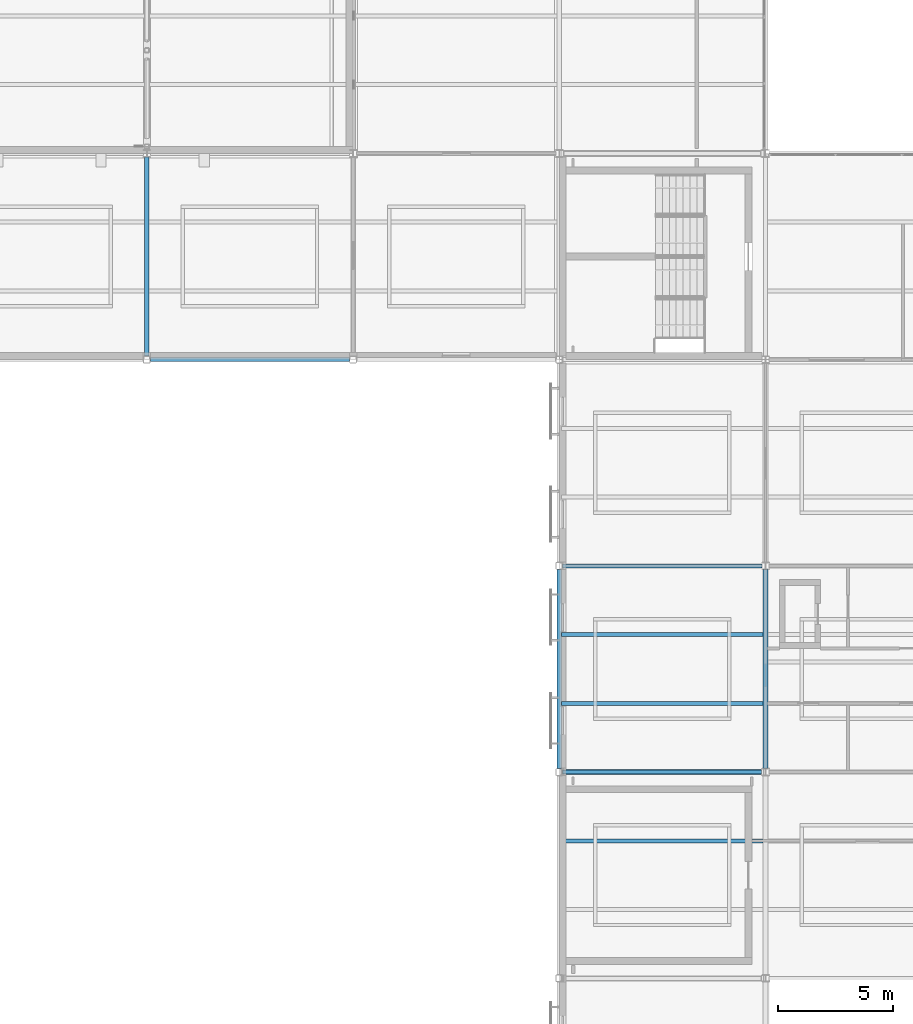
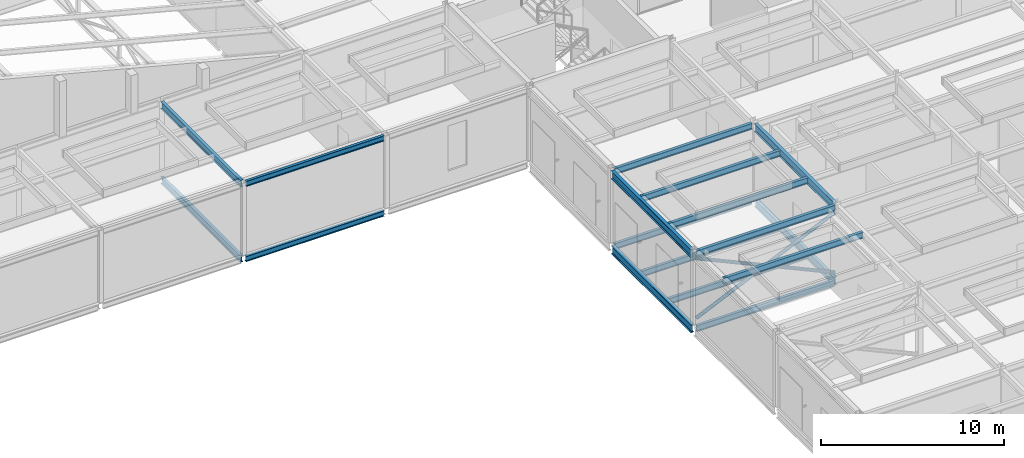
# One storey, part 19 of 115: 17 beams, 2 members.
"""IFC4 building model written with IfcOpenShell, lengths in metres."""

import ifcopenshell
import ifcopenshell.guid

model = None  # the IFC model being written
_history = None  # IfcOwnerHistory: only IFC2X3 demands one
_inside = {}  # id of a spatial element -> (the spatial element, [elements in it])
_under = {}  # id of a project, library or spatial element -> (it, [spatial elements below it])
_declared = {}  # id of a project -> (the project, [libraries it declares])
_typed = {}  # id of a type object -> (the type object, [elements of that type])
_made_of = {}  # id of a material, layer set ... -> (it, [elements and type objects made of it])


def new_model(schema):
    """Start an empty IFC model of exactly this schema.

    Asked for "IFC4X3", IfcOpenShell would pick the latest addendum, in which some entities
    have other attributes; the version numbers below select the first issue.
    IFC2X3 requires an IfcOwnerHistory on every rooted entity: one is made here for all.
    """
    global model, _history
    if schema == "IFC4X3":
        model = ifcopenshell.file(schema_version=(4, 3, 0, 0))
    else:
        model = ifcopenshell.file(schema=schema)
    _inside.clear()
    _under.clear()
    _declared.clear()
    _typed.clear()
    _made_of.clear()
    _history = None
    if model.schema == "IFC2X3":
        org = make("IfcOrganization", Name="unknown")
        user = make(
            "IfcPersonAndOrganization",
            ThePerson=make("IfcPerson", FamilyName="unknown"),
            TheOrganization=org,
        )
        app = make(
            "IfcApplication",
            ApplicationDeveloper=org,
            Version="unknown",
            ApplicationFullName="unknown",
            ApplicationIdentifier="unknown",
        )
        _history = make(
            "IfcOwnerHistory",
            OwningUser=user,
            OwningApplication=app,
            ChangeAction="ADDED",
            CreationDate=0,
        )
    return model


def make(cls, **values):
    """One entity of the class cls with the attributes given. An attribute that is None is left unset."""
    return model.create_entity(
        cls, **{name: value for name, value in values.items() if value is not None}
    )


def rooted(cls, **values):
    """An entity with a GlobalId (a new one), such as an element, a storey or a relation."""
    return make(cls, GlobalId=ifcopenshell.guid.new(), OwnerHistory=_history, **values)


def si_unit(unit_type, name, prefix=None):
    """IfcSIUnit, for example si_unit("LENGTHUNIT", "METRE", prefix="MILLI")."""
    return make("IfcSIUnit", UnitType=unit_type, Prefix=prefix, Name=name)


def assignment(units):
    """IfcUnitAssignment: the units of a project."""
    return None if units is None else make("IfcUnitAssignment", Units=units)


def point(xyz):
    """IfcCartesianPoint."""
    return None if xyz is None else make("IfcCartesianPoint", Coordinates=xyz)


def direction(xyz):
    """IfcDirection."""
    return None if xyz is None else make("IfcDirection", DirectionRatios=xyz)


def frame(location, z_axis=None, x_axis=None):
    """IfcAxis2Placement3D, a coordinate frame: its origin and axes. An axis left out is left unset."""
    return make(
        "IfcAxis2Placement3D",
        Location=point(location),
        Axis=direction(z_axis),
        RefDirection=direction(x_axis),
    )


def frame_2d(location, x_axis=None):
    """IfcAxis2Placement2D, a coordinate frame in the plane: its origin and x axis."""
    return make(
        "IfcAxis2Placement2D", Location=point(location), RefDirection=direction(x_axis)
    )


def origin():
    """The frame at (0, 0, 0) with its axes left unset."""
    return frame((0.0, 0.0, 0.0))


def origin_2d():
    """The frame at (0, 0) in the plane with its x axis left unset."""
    return frame_2d((0.0, 0.0))


def place(relative_to, where):
    """IfcLocalPlacement: puts the frame where relative to a parent placement (None: the world)."""
    return make(
        "IfcLocalPlacement", PlacementRelTo=relative_to, RelativePlacement=where
    )


def context(
    kind, dimensions, precision=None, world=None, true_north=None, identifier=None
):
    """IfcGeometricRepresentationContext, for example the 3D "Model" context."""
    return make(
        "IfcGeometricRepresentationContext",
        ContextIdentifier=identifier,
        ContextType=kind,
        CoordinateSpaceDimension=dimensions,
        Precision=precision,
        WorldCoordinateSystem=world,
        TrueNorth=true_north,
    )


def subcontext(parent, identifier, kind, view, scale=None):
    """IfcGeometricRepresentationSubContext, for example "Body" below "Model"."""
    return make(
        "IfcGeometricRepresentationSubContext",
        ContextIdentifier=identifier,
        ContextType=kind,
        ParentContext=parent,
        TargetScale=scale,
        TargetView=view,
    )


def project(units=None, contexts=None):
    """IfcProject with its units and contexts."""
    return rooted(
        "IfcProject",
        Name="project",
        RepresentationContexts=contexts,
        UnitsInContext=assignment(units),
    )


def spatial(cls, under=None, at=None, **own):
    """A site, building, storey or space (cls), placed at a placement, below another one or the project."""
    s = rooted(cls, ObjectPlacement=at, **own)
    if under is not None:
        _under.setdefault(under.id(), (under, []))[1].append(s)
    return s


def profile(cls, at=None, kind="AREA", **sizes):
    """A parametric profile (cls). Its sizes go by their IFC names, for example OverallWidth=200.0."""
    return make(cls, ProfileType=kind, Position=at, **sizes)


def hollow_circle(**sizes):
    """IfcCircleHollowProfileDef."""
    return profile("IfcCircleHollowProfileDef", **sizes)


def i_section(**sizes):
    """IfcIShapeProfileDef."""
    return profile("IfcIShapeProfileDef", **sizes)


def extrude(swept, where, along, depth):
    """IfcExtrudedAreaSolid: the profile swept, set in the frame where, extruded along a direction by depth."""
    return make(
        "IfcExtrudedAreaSolid",
        SweptArea=swept,
        Position=where,
        ExtrudedDirection=direction(along),
        Depth=depth,
    )


def shape(context_of_items, identifier, shape_type, items):
    """IfcShapeRepresentation: the items that make up one representation, for example the "Body"."""
    return make(
        "IfcShapeRepresentation",
        ContextOfItems=context_of_items,
        RepresentationIdentifier=identifier,
        RepresentationType=shape_type,
        Items=items,
    )


def material(Name=None, Category=None):
    """IfcMaterial."""
    return make("IfcMaterial", Name=Name, Category=Category)


def material_profile(
    of_material, cross_section, Name=None, Category=None, Priority=None
):
    """IfcMaterialProfile: a cross section and its material."""
    return make(
        "IfcMaterialProfile",
        Name=Name,
        Material=of_material,
        Profile=cross_section,
        Priority=Priority,
        Category=Category,
    )


def profile_set(profiles, Name=None, composite=None):
    """IfcMaterialProfileSet."""
    return make(
        "IfcMaterialProfileSet",
        Name=Name,
        MaterialProfiles=profiles,
        CompositeProfile=composite,
    )


def made_of(thing, what):
    """Note that an element or type object is made of a material, layer set ...; save() writes the relation."""
    if what is not None:
        _made_of.setdefault(what.id(), (what, []))[1].append(thing)
    return thing


def type_object(cls, material=None, **own):
    """A type object (cls), such as IfcWallType, which elements share."""
    return made_of(rooted(cls, **own), material)


def element(
    cls,
    number,
    at=None,
    inside=None,
    cuts=None,
    type_object=None,
    material=None,
    context=None,
    identifier="Body",
    shape_type=None,
    held_by="IfcProductDefinitionShape",
    body=None,
    shapes=None,
    **own,
):
    """One element of the class cls, such as IfcWall. Its Tag is "e" and its number.

    at: its placement. inside: the storey or other place that contains it. cuts: it is an
    opening in that element (IfcRelVoidsElement). A single representation is given by context,
    identifier, shape_type and body (its items); several are given by shapes. held_by: the class
    of the entity that holds the representations. save() writes the other relations.
    """
    e = rooted(cls, Tag="e%d" % number, ObjectPlacement=at, **own)
    if body is not None:
        shapes = [shape(context, identifier, shape_type, body)]
    if shapes is not None:
        e.Representation = make(held_by, Representations=shapes)
    if inside is not None:
        _inside.setdefault(inside.id(), (inside, []))[1].append(e)
    if cuts is not None:
        rooted(
            "IfcRelVoidsElement", RelatingBuildingElement=cuts, RelatedOpeningElement=e
        )
    if type_object is not None:
        _typed.setdefault(type_object.id(), (type_object, []))[1].append(e)
    return made_of(e, material)


def aggregate(whole, parts):
    """IfcRelAggregates: a whole, such as a stair, and the parts it consists of."""
    return rooted("IfcRelAggregates", RelatingObject=whole, RelatedObjects=parts)


def save(model, path):
    """Write the relations noted so far, then the file.

    IfcRelAggregates (storeys below a building ...), IfcRelContainedInSpatialStructure (elements
    in a storey), IfcRelDefinesByType, IfcRelAssociatesMaterial and IfcRelDeclares: one each for
    every whole, place, type object, material and project.
    """
    for whole, parts in _under.values():
        aggregate(whole, parts)
    for where, things in _inside.values():
        rooted(
            "IfcRelContainedInSpatialStructure",
            RelatedElements=things,
            RelatingStructure=where,
        )
    for kind, things in _typed.values():
        rooted("IfcRelDefinesByType", RelatedObjects=things, RelatingType=kind)
    for what, things in _made_of.values():
        rooted("IfcRelAssociatesMaterial", RelatedObjects=things, RelatingMaterial=what)
    for by, libraries in _declared.values():
        rooted("IfcRelDeclares", RelatingContext=by, RelatedDefinitions=libraries)
    model.write(path)


model = new_model("IFC4")

# Units and contexts
model_context = context("Model", 3, precision=1e-05, world=origin(), true_north=direction((0.0, 1.0)))
body_context = subcontext(model_context, "Body", "Model", "MODEL_VIEW")
ifc_project = project(units=[si_unit("LENGTHUNIT", "METRE"), si_unit("AREAUNIT", "SQUARE_METRE"), si_unit("VOLUMEUNIT", "CUBIC_METRE"), si_unit("PLANEANGLEUNIT", "RADIAN"), si_unit("MASSUNIT", "GRAM", prefix="KILO")], contexts=[model_context])

# Site, building, storey
site_placement = place(None, origin())
site = spatial("IfcSite", under=ifc_project, at=site_placement, CompositionType="ELEMENT")
building_placement = place(site_placement, origin())
building = spatial("IfcBuilding", under=site, at=building_placement, Name="Shorebreak Coast Museum", CompositionType="ELEMENT")
storey_placement = place(building_placement, frame((0.0, 0.0, 11.0)))
storey = spatial("IfcBuildingStorey", under=building, at=storey_placement, Name="L02", CompositionType="ELEMENT", Elevation=11.0)

# Beams
ifc_material_1 = material(Name="Steel Grade 300", Category="steel")
ifc_material_profile_1 = material_profile(ifc_material_1, i_section(OverallWidth=0.1708984375, OverallDepth=0.355712890625, WebThickness=0.00732421875, FlangeThickness=0.011474609375, FilletRadius=0.011474609375, at=origin_2d()), Name="360UB50.7")
ifc_profile_set_1 = profile_set([ifc_material_profile_1], Name="Steel Grade 300")
beam_type_1 = type_object("IfcBeamType", Name="Floor girder east-west 360UB50.7", PredefinedType="BEAM", material=ifc_profile_set_1)
beam_1_placement = place(storey_placement, frame((36.14990234375, 54.0, -0.352783203125), z_axis=(1.0, 0.0, 0.0), x_axis=(0.0, 1.0, 0.0)))
element("IfcBeam", 1, at=beam_1_placement, inside=storey, type_object=beam_type_1, Name="Floor girder east-west L02 5G", PredefinedType="BEAM", context=body_context, shape_type="SweptSolid", body=[
    extrude(i_section(OverallWidth=0.1708984375, OverallDepth=0.355712890625, WebThickness=0.00732421875, FlangeThickness=0.011474609375, FilletRadius=0.011474609375, at=origin_2d()), origin(), (0.0, 0.0, 1.0), 8.7001953125),
])
ifc_material_2 = material(Name="Steel Grade 300", Category="steel")
ifc_material_profile_2 = material_profile(ifc_material_2, i_section(OverallWidth=0.177978515625, OverallDepth=0.406494140625, WebThickness=0.0078125, FlangeThickness=0.0126953125, FilletRadius=0.011474609375, at=origin_2d()), Name="410UB59.7")
ifc_profile_set_2 = profile_set([ifc_material_profile_2], Name="Steel Grade 300")
beam_type_2 = type_object("IfcBeamType", Name="Floor girder east-west 410UB59.7", PredefinedType="BEAM", material=ifc_profile_set_2)
for number, where, z_axis, x_axis, name in (
    (2, (54.14990234375, 36.0, -0.378173828125), (1.0, 0.0, 0.0), (0.0, 1.0, 0.0), "Floor girder east-west L02 7E"),
    (3, (54.14990234375, 45.0, -0.378173828125), (1.0, 0.0, 0.0), (0.0, 1.0, 0.0), "Floor girder east-west L02 7F"),
):
    element("IfcBeam", number, at=place(storey_placement, frame(where, z_axis=z_axis, x_axis=x_axis)), inside=storey, type_object=beam_type_2, Name=name, PredefinedType="BEAM", context=body_context, shape_type="SweptSolid", body=[
        extrude(i_section(OverallWidth=0.177978515625, OverallDepth=0.406494140625, WebThickness=0.0078125, FlangeThickness=0.0126953125, FilletRadius=0.011474609375, at=origin_2d()), origin(), (0.0, 0.0, 1.0), 8.695556640625),
    ])
ifc_material_3 = material(Name="Steel Grade 300", Category="steel")
ifc_material_profile_3 = material_profile(ifc_material_3, i_section(OverallWidth=0.19091796875, OverallDepth=0.46044921875, WebThickness=0.010009765625, FlangeThickness=0.01611328125, FilletRadius=0.011474609375, at=origin_2d()), Name="460UB82.1")
ifc_profile_set_3 = profile_set([ifc_material_profile_3], Name="Steel Grade 300")
beam_type_3 = type_object("IfcBeamType", Name="Floor girder north-south 460UB82.1", PredefinedType="BEAM", material=ifc_profile_set_3)
beam_2_placement = place(storey_placement, frame((36.0, 54.14990234375, -0.4052734375), z_axis=(0.0, 1.0, 0.0), x_axis=(-1.0, 0.0, 0.0)))
element("IfcBeam", 4, at=beam_2_placement, inside=storey, type_object=beam_type_3, Name="Floor girder north-south L02 5G", PredefinedType="BEAM", context=body_context, shape_type="SweptSolid", body=[
    extrude(i_section(OverallWidth=0.19091796875, OverallDepth=0.46044921875, WebThickness=0.010009765625, FlangeThickness=0.01611328125, FilletRadius=0.011474609375, at=origin_2d()), origin(), (0.0, 0.0, 1.0), 8.6865234375),
])
ifc_material_4 = material(Name="Steel Grade 300", Category="steel")
ifc_material_profile_4 = material_profile(ifc_material_4, i_section(OverallWidth=0.208984375, OverallDepth=0.5283203125, WebThickness=0.009521484375, FlangeThickness=0.01318359375, FilletRadius=0.013916015625, at=origin_2d()), Name="530UB82.0")
ifc_profile_set_4 = profile_set([ifc_material_profile_4], Name="Steel Grade 300")
beam_type_4 = type_object("IfcBeamType", Name="Floor girder north-south 530UB82.0", PredefinedType="BEAM", material=ifc_profile_set_4)
beam_3_placement = place(storey_placement, frame((54.0, 36.14990234375, -0.439208984375), z_axis=(0.0, 1.0, 0.0), x_axis=(-1.0, 0.0, 0.0)))
element("IfcBeam", 5, at=beam_3_placement, inside=storey, type_object=beam_type_4, Name="Floor girder north-south L02 7E", PredefinedType="BEAM", context=body_context, shape_type="SweptSolid", body=[
    extrude(i_section(OverallWidth=0.208984375, OverallDepth=0.5283203125, WebThickness=0.009521484375, FlangeThickness=0.01318359375, FilletRadius=0.013916015625, at=origin_2d()), origin(), (0.0, 0.0, 1.0), 8.7001953125),
])
beam_4_placement = place(storey_placement, frame((63.0, 36.160400390625, -0.439208984375), z_axis=(0.0, 1.0, 0.0), x_axis=(-1.0, 0.0, 0.0)))
element("IfcBeam", 6, at=beam_4_placement, inside=storey, type_object=beam_type_4, Name="Floor girder north-south L02 8E", PredefinedType="BEAM", context=body_context, shape_type="SweptSolid", body=[
    extrude(i_section(OverallWidth=0.208984375, OverallDepth=0.5283203125, WebThickness=0.009521484375, FlangeThickness=0.01318359375, FilletRadius=0.013916015625, at=origin_2d()), origin(), (0.0, 0.0, 1.0), 8.67919921875),
])
ifc_material_5 = material(Name="Steel Grade 300", Category="steel")
ifc_material_profile_5 = material_profile(ifc_material_5, i_section(OverallWidth=0.177978515625, OverallDepth=0.406494140625, WebThickness=0.0078125, FlangeThickness=0.0126953125, FilletRadius=0.011474609375, at=origin_2d()), Name="410UB59.7")
ifc_profile_set_5 = profile_set([ifc_material_profile_5], Name="Steel Grade 300")
beam_type_5 = type_object("IfcBeamType", Name="Floor joist 410UB59.7", PredefinedType="JOIST", material=ifc_profile_set_5)
for number, where, z_axis, x_axis, name in (
    (7, (54.1044921875, 39.0, -0.378173828125), (1.0, 0.0, 0.0), (0.0, 1.0, 0.0), "Floor joist L02 bay 7E at 3000 mm"),
    (8, (54.1044921875, 42.0, -0.378173828125), (1.0, 0.0, 0.0), (0.0, 1.0, 0.0), "Floor joist L02 bay 7E at 6000 mm"),
):
    element("IfcBeam", number, at=place(storey_placement, frame(where, z_axis=z_axis, x_axis=x_axis)), inside=storey, type_object=beam_type_5, Name=name, PredefinedType="JOIST", context=body_context, shape_type="SweptSolid", body=[
        extrude(i_section(OverallWidth=0.177978515625, OverallDepth=0.406494140625, WebThickness=0.0078125, FlangeThickness=0.0126953125, FilletRadius=0.011474609375, at=origin_2d()), origin(), (0.0, 0.0, 1.0), 8.791015625),
    ])
ifc_material_6 = material(Name="Steel Grade 300", Category="steel")
ifc_material_profile_6 = material_profile(ifc_material_6, i_section(OverallWidth=0.1708984375, OverallDepth=0.355712890625, WebThickness=0.00732421875, FlangeThickness=0.011474609375, FilletRadius=0.011474609375, at=origin_2d()), Name="360UB50.7")
ifc_profile_set_6 = profile_set([ifc_material_profile_6], Name="Steel Grade 300")
beam_type_6 = type_object("IfcBeamType", Name="Roof deck girder east-west 360UB50.7", PredefinedType="BEAM", material=ifc_profile_set_6)
beam_5_placement = place(storey_placement, frame((36.14990234375, 54.0, 4.647216796875), z_axis=(1.0, 0.0, 0.0), x_axis=(0.0, 1.0, 0.0)))
element("IfcBeam", 9, at=beam_5_placement, inside=storey, type_object=beam_type_6, Name="Roof deck girder east-west L03 5G", PredefinedType="BEAM", context=body_context, shape_type="SweptSolid", body=[
    extrude(i_section(OverallWidth=0.1708984375, OverallDepth=0.355712890625, WebThickness=0.00732421875, FlangeThickness=0.011474609375, FilletRadius=0.011474609375, at=origin_2d()), origin(), (0.0, 0.0, 1.0), 8.7001953125),
])
ifc_material_7 = material(Name="Steel Grade 300", Category="steel")
ifc_material_profile_7 = material_profile(ifc_material_7, i_section(OverallWidth=0.177978515625, OverallDepth=0.406494140625, WebThickness=0.0078125, FlangeThickness=0.0126953125, FilletRadius=0.011474609375, at=origin_2d()), Name="410UB59.7")
ifc_profile_set_7 = profile_set([ifc_material_profile_7], Name="Steel Grade 300")
beam_type_7 = type_object("IfcBeamType", Name="Roof deck girder east-west 410UB59.7", PredefinedType="BEAM", material=ifc_profile_set_7)
for number, where, z_axis, x_axis, name in (
    (10, (54.14990234375, 36.0, 4.621826171875), (1.0, 0.0, 0.0), (0.0, 1.0, 0.0), "Roof deck girder east-west L03 7E"),
    (11, (54.14990234375, 45.0, 4.621826171875), (1.0, 0.0, 0.0), (0.0, 1.0, 0.0), "Roof deck girder east-west L03 7F"),
):
    element("IfcBeam", number, at=place(storey_placement, frame(where, z_axis=z_axis, x_axis=x_axis)), inside=storey, type_object=beam_type_7, Name=name, PredefinedType="BEAM", context=body_context, shape_type="SweptSolid", body=[
        extrude(i_section(OverallWidth=0.177978515625, OverallDepth=0.406494140625, WebThickness=0.0078125, FlangeThickness=0.0126953125, FilletRadius=0.011474609375, at=origin_2d()), origin(), (0.0, 0.0, 1.0), 8.696533203125),
    ])
ifc_material_8 = material(Name="Steel Grade 300", Category="steel")
ifc_material_profile_8 = material_profile(ifc_material_8, i_section(OverallWidth=0.18994140625, OverallDepth=0.453857421875, WebThickness=0.008544921875, FlangeThickness=0.0126953125, FilletRadius=0.011474609375, at=origin_2d()), Name="460UB67.1")
ifc_profile_set_8 = profile_set([ifc_material_profile_8], Name="Steel Grade 300")
beam_type_8 = type_object("IfcBeamType", Name="Roof deck girder north-south 460UB67.1", PredefinedType="BEAM", material=ifc_profile_set_8)
beam_6_placement = place(storey_placement, frame((36.0, 54.14990234375, 4.59814453125), z_axis=(0.0, 1.0, 0.0), x_axis=(-1.0, 0.0, 0.0)))
element("IfcBeam", 12, at=beam_6_placement, inside=storey, type_object=beam_type_8, Name="Roof deck girder north-south L03 5G", PredefinedType="BEAM", context=body_context, shape_type="SweptSolid", body=[
    extrude(i_section(OverallWidth=0.18994140625, OverallDepth=0.453857421875, WebThickness=0.008544921875, FlangeThickness=0.0126953125, FilletRadius=0.011474609375, at=origin_2d()), origin(), (0.0, 0.0, 1.0), 8.6865234375),
])
ifc_material_9 = material(Name="Steel Grade 300", Category="steel")
ifc_material_profile_9 = material_profile(ifc_material_9, i_section(OverallWidth=0.208984375, OverallDepth=0.5283203125, WebThickness=0.009521484375, FlangeThickness=0.01318359375, FilletRadius=0.013916015625, at=origin_2d()), Name="530UB82.0")
ifc_profile_set_9 = profile_set([ifc_material_profile_9], Name="Steel Grade 300")
beam_type_9 = type_object("IfcBeamType", Name="Roof deck girder north-south 530UB82.0", PredefinedType="BEAM", material=ifc_profile_set_9)
beam_7_placement = place(storey_placement, frame((54.0, 36.14990234375, 4.560791015625), z_axis=(0.0, 1.0, 0.0), x_axis=(-1.0, 0.0, 0.0)))
element("IfcBeam", 13, at=beam_7_placement, inside=storey, type_object=beam_type_9, Name="Roof deck girder north-south L03 7E", PredefinedType="BEAM", context=body_context, shape_type="SweptSolid", body=[
    extrude(i_section(OverallWidth=0.208984375, OverallDepth=0.5283203125, WebThickness=0.009521484375, FlangeThickness=0.01318359375, FilletRadius=0.013916015625, at=origin_2d()), origin(), (0.0, 0.0, 1.0), 8.7001953125),
])
beam_8_placement = place(storey_placement, frame((63.0, 36.1572265625, 4.560791015625), z_axis=(0.0, 1.0, 0.0), x_axis=(-1.0, 0.0, 0.0)))
element("IfcBeam", 14, at=beam_8_placement, inside=storey, type_object=beam_type_9, Name="Roof deck girder north-south L03 8E", PredefinedType="BEAM", context=body_context, shape_type="SweptSolid", body=[
    extrude(i_section(OverallWidth=0.208984375, OverallDepth=0.5283203125, WebThickness=0.009521484375, FlangeThickness=0.01318359375, FilletRadius=0.013916015625, at=origin_2d()), origin(), (0.0, 0.0, 1.0), 8.685546875),
])
ifc_material_10 = material(Name="Steel Grade 300", Category="steel")
ifc_material_profile_10 = material_profile(ifc_material_10, i_section(OverallWidth=0.177978515625, OverallDepth=0.402587890625, WebThickness=0.007568359375, FlangeThickness=0.010986328125, FilletRadius=0.011474609375, at=origin_2d()), Name="410UB53.7")
ifc_profile_set_10 = profile_set([ifc_material_profile_10], Name="Steel Grade 300")
beam_type_10 = type_object("IfcBeamType", Name="Roof deck joist 410UB53.7", PredefinedType="JOIST", material=ifc_profile_set_10)
for number, where, z_axis, x_axis, name in (
    (15, (54.1044921875, 33.0, 4.623779296875), (1.0, 0.0, 0.0), (0.0, 1.0, 0.0), "Roof deck joist L03 bay 7D at 6000 mm"),
    (16, (54.1044921875, 39.0, 4.623779296875), (1.0, 0.0, 0.0), (0.0, 1.0, 0.0), "Roof deck joist L03 bay 7E at 3000 mm"),
    (17, (54.1044921875, 42.0, 4.623779296875), (1.0, 0.0, 0.0), (0.0, 1.0, 0.0), "Roof deck joist L03 bay 7E at 6000 mm"),
):
    element("IfcBeam", number, at=place(storey_placement, frame(where, z_axis=z_axis, x_axis=x_axis)), inside=storey, type_object=beam_type_10, Name=name, PredefinedType="JOIST", context=body_context, shape_type="SweptSolid", body=[
        extrude(i_section(OverallWidth=0.177978515625, OverallDepth=0.402587890625, WebThickness=0.007568359375, FlangeThickness=0.010986328125, FilletRadius=0.011474609375, at=origin_2d()), origin(), (0.0, 0.0, 1.0), 8.791015625),
    ])

# Members
ifc_material_11 = material(Name="Steel Grade C350L0", Category="steel")
ifc_material_profile_11 = material_profile(ifc_material_11, hollow_circle(Radius=0.109619140625, WallThickness=0.00830078125, at=origin_2d()), Name="219.1x8.2 CHS")
ifc_profile_set_11 = profile_set([ifc_material_profile_11], Name="Steel Grade C350L0")
member_type = type_object("IfcMemberType", Name="X-brace 219.1x8.2 CHS", PredefinedType="BRACE", material=ifc_profile_set_11)
for number, where, z_axis, x_axis, name in (
    (18, (54.14990234375, 36.0, 0.300048828125), (0.90950233373, 0.0, 0.415698815178), (0.0, 1.0, 0.0), "X-brace bay 16 L02 diagonal 1"),
    (19, (62.846435546875, 36.0, 0.300048828125), (-0.90950233373, 0.0, 0.415698815178), (0.0, -1.0, 0.0), "X-brace bay 16 L02 diagonal 2"),
):
    element("IfcMember", number, at=place(storey_placement, frame(where, z_axis=z_axis, x_axis=x_axis)), inside=storey, type_object=member_type, Name=name, PredefinedType="BRACE", context=body_context, shape_type="SweptSolid", body=[
        extrude(hollow_circle(Radius=0.109619140625, WallThickness=0.00830078125, at=origin_2d()), origin(), (0.0, 0.0, 1.0), 9.561767578125),
    ])

save(model, "model.ifc")
